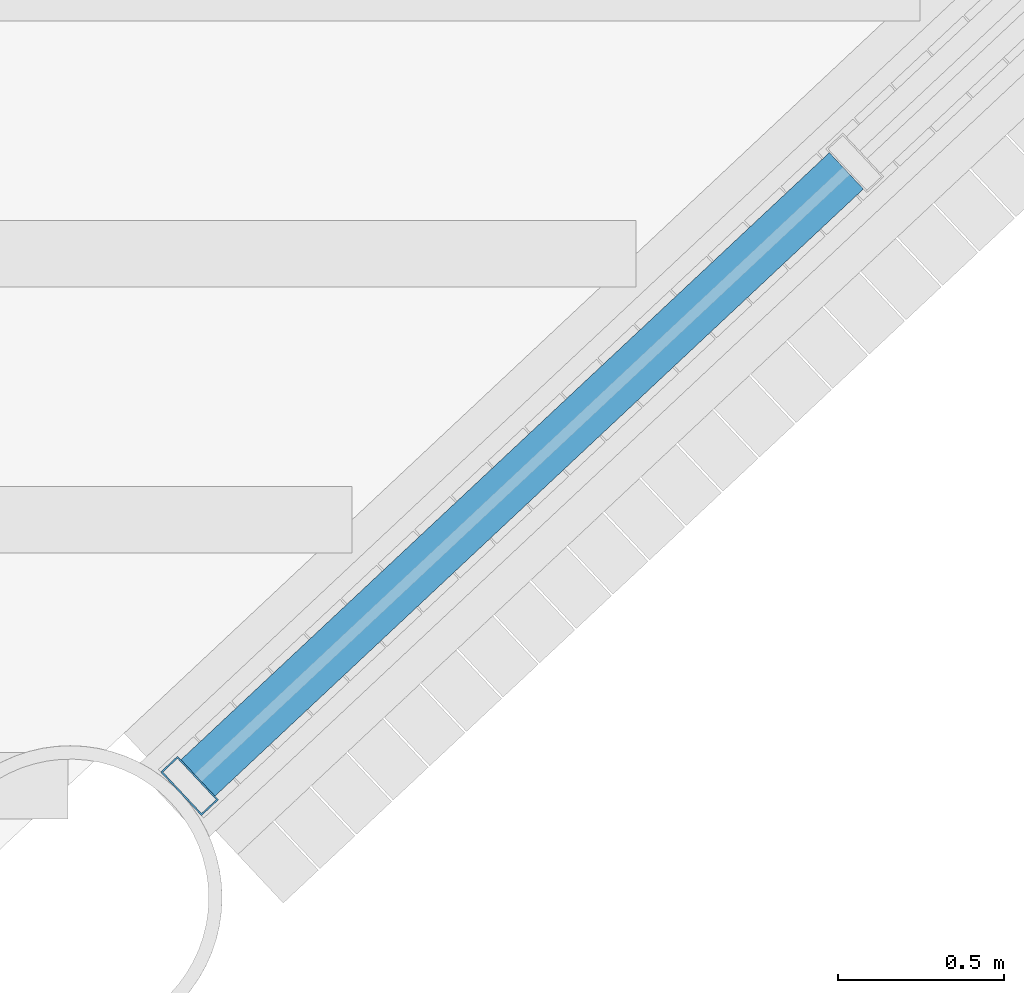
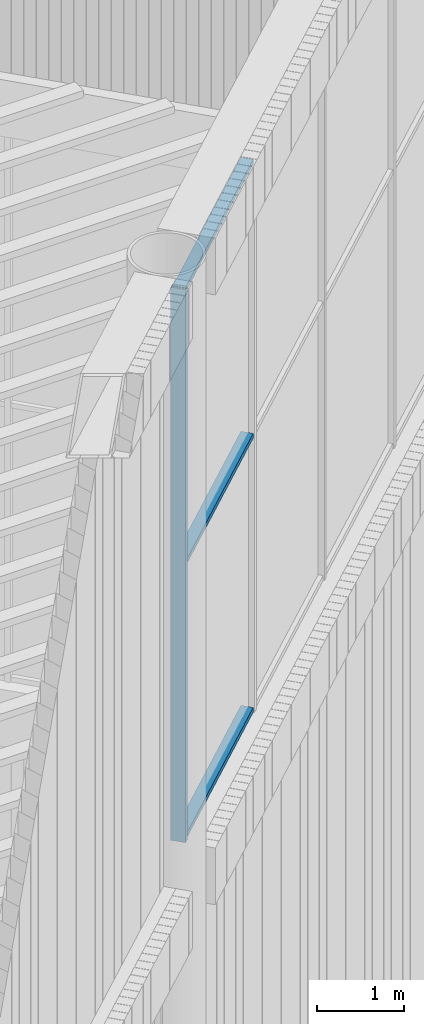
# One storey, part 63 of 117: 4 members, 1 element without a shape of its own.
"""IFC4 building model written with IfcOpenShell, lengths in metres."""

from ifc_helpers import new_model, si_unit, direction, frame, origin, origin_2d, place, context, subcontext, project, spatial, hollow_rectangle, extrude, material, layer, layer_set, material_profile, profile_set, type_object, element, aggregate, save


model = new_model("IFC4")

# Units and contexts
model_context = context("Model", 3, precision=1e-05, world=origin(), true_north=direction((0.0, 1.0)))
body_context = subcontext(model_context, "Body", "Model", "MODEL_VIEW")
ifc_project = project(units=[si_unit("LENGTHUNIT", "METRE"), si_unit("AREAUNIT", "SQUARE_METRE"), si_unit("VOLUMEUNIT", "CUBIC_METRE"), si_unit("PLANEANGLEUNIT", "RADIAN"), si_unit("MASSUNIT", "GRAM", prefix="KILO")], contexts=[model_context])

# Site, building, storey
site_placement = place(None, origin())
site = spatial("IfcSite", under=ifc_project, at=site_placement, CompositionType="ELEMENT")
building_placement = place(site_placement, origin())
building = spatial("IfcBuilding", under=site, at=building_placement, Name="Tarsis Ring Headquarters", CompositionType="ELEMENT")
storey_placement = place(building_placement, frame((0.0, 0.0, 403.60009765625)))
storey = spatial("IfcBuildingStorey", under=building, at=storey_placement, Name="L95", CompositionType="ELEMENT", Elevation=403.60009765625)

# Curtain wall, members
ifc_material_1 = material(Name="Aluminium curtain wall", Category="aluminium")
ifc_layer = layer(ifc_material_1, 0.179931640625)
ifc_layer_set = layer_set([ifc_layer], Name="Curtain wall crown glazing")
curtain_wall_type = type_object("IfcCurtainWallType", Name="Curtain wall crown glazing", PredefinedType="NOTDEFINED", material=ifc_layer_set)
curtain_wall_placement = place(storey_placement, origin())
curtain_wall = element("IfcCurtainWall", 1, at=curtain_wall_placement, inside=storey, type_object=curtain_wall_type, Name="Crown glazing U4", PredefinedType="NOTDEFINED")
ifc_material_2 = material(Name="Aluminium mullion", Category="aluminium")
ifc_material_profile_1 = material_profile(ifc_material_2, hollow_rectangle(XDim=0.179931640625, YDim=0.070068359375, WallThickness=0.0048828125, at=origin_2d()), Name="RHS 180x70x5")
ifc_profile_set_1 = profile_set([ifc_material_profile_1], Name="Aluminium mullion")
member_type_1 = type_object("IfcMemberType", Name="Crown glazing mullion RHS 180x70x5", PredefinedType="MULLION", material=ifc_profile_set_1)
member_1_placement = place(storey_placement, frame((24.14599609375, -25.06494140625, 14.39990234375), z_axis=(0.0, 0.0, 1.0), x_axis=(-0.683528517753, 0.729923807954, 0.0)))
member_1 = element("IfcMember", 2, at=member_1_placement, type_object=member_type_1, Name="CW-C mullion 1", PredefinedType="MULLION", context=body_context, shape_type="SweptSolid", body=[
    extrude(hollow_rectangle(XDim=0.179931640625, YDim=0.070068359375, WallThickness=0.0048828125, at=origin_2d()), origin(), (0.0, 0.0, 1.0), 7.800048828125),
])
ifc_material_3 = material(Name="Aluminium transom", Category="aluminium")
ifc_material_profile_2 = material_profile(ifc_material_3, hollow_rectangle(XDim=0.14990234375, YDim=0.070068359375, WallThickness=0.0048828125, at=origin_2d()), Name="RHS 150x70x5")
ifc_profile_set_2 = profile_set([ifc_material_profile_2], Name="Aluminium transom")
member_type_2 = type_object("IfcMemberType", Name="Crown glazing transom RHS 150x70x5", PredefinedType="USERDEFINED", material=ifc_profile_set_2)
member_2_placement = place(storey_placement, frame((24.17138671875, -25.041015625, 14.434814453125), z_axis=(0.729975815605, 0.683472975787, 0.0), x_axis=(-0.683472975787, 0.729975815605, 0.0)))
member_2 = element("IfcMember", 3, at=member_2_placement, type_object=member_type_2, Name="CW-C transom 1.1", ObjectType="TRANSOM", PredefinedType="USERDEFINED", context=body_context, shape_type="SweptSolid", body=[
    extrude(hollow_rectangle(XDim=0.14990234375, YDim=0.070068359375, WallThickness=0.0048828125, at=origin_2d()), origin(), (0.0, 0.0, 1.0), 2.67236328125),
])
member_3_placement = place(storey_placement, frame((24.17138671875, -25.041015625, 18.2998046875), z_axis=(0.729975815605, 0.683472975787, 0.0), x_axis=(-0.683472975787, 0.729975815605, 0.0)))
member_3 = element("IfcMember", 4, at=member_3_placement, type_object=member_type_2, Name="CW-C transom 1.2", ObjectType="TRANSOM", PredefinedType="USERDEFINED", context=body_context, shape_type="SweptSolid", body=[
    extrude(hollow_rectangle(XDim=0.14990234375, YDim=0.070068359375, WallThickness=0.0048828125, at=origin_2d()), origin(), (0.0, 0.0, 1.0), 2.67236328125),
])
member_4_placement = place(storey_placement, frame((24.17138671875, -25.041015625, 22.164794921875), z_axis=(0.729975815605, 0.683472975787, 0.0), x_axis=(-0.683472975787, 0.729975815605, 0.0)))
member_4 = element("IfcMember", 5, at=member_4_placement, type_object=member_type_2, Name="CW-C transom 1.3", ObjectType="TRANSOM", PredefinedType="USERDEFINED", context=body_context, shape_type="SweptSolid", body=[
    extrude(hollow_rectangle(XDim=0.14990234375, YDim=0.070068359375, WallThickness=0.0048828125, at=origin_2d()), origin(), (0.0, 0.0, 1.0), 2.67236328125),
])
aggregate(curtain_wall, [member_1, member_2, member_3, member_4])

save(model, "model.ifc")
